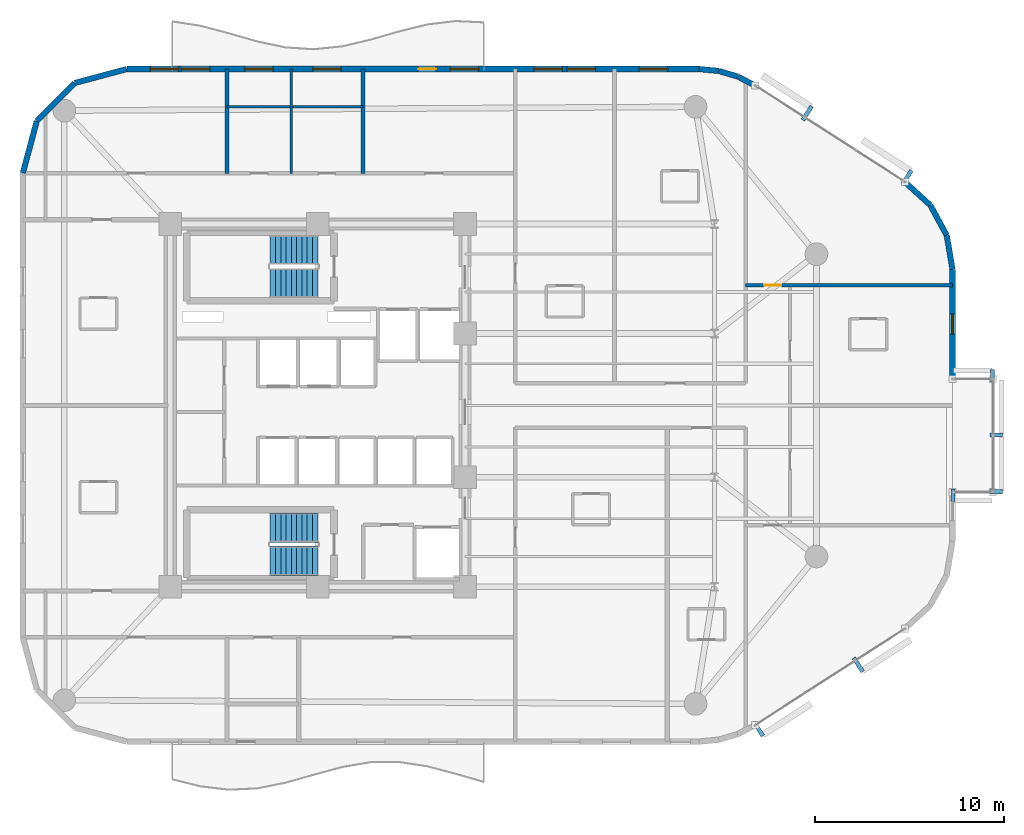
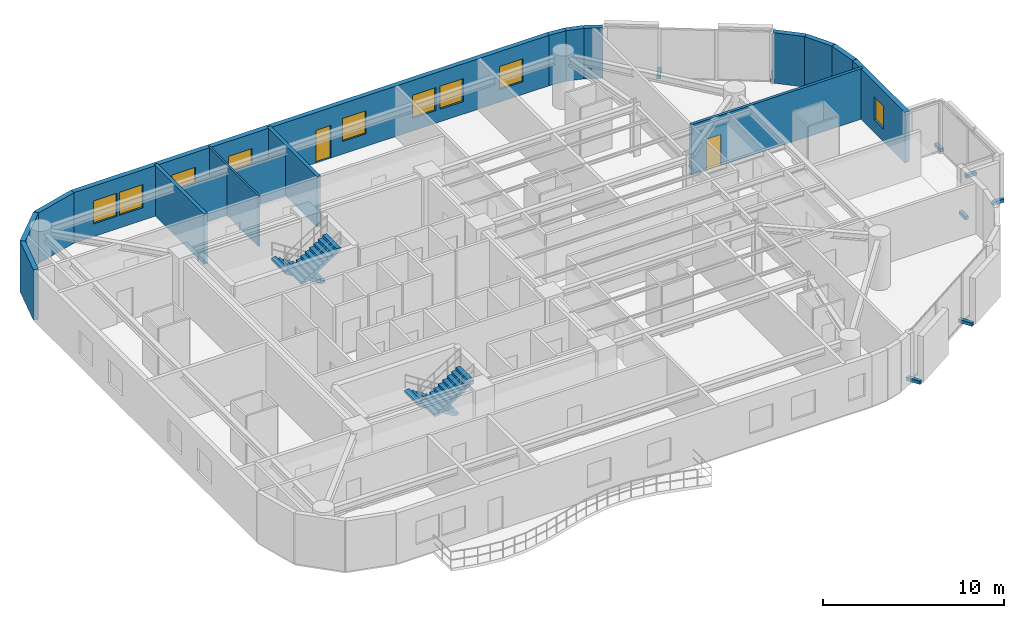
# One storey, part 14 of 16: 16 walls, 9 windows, 8 discrete accessories, 4 stair flights, 2 doors, 11 openings, 2 elements without a shape of their own.
"""IFC4 building model written with IfcOpenShell, lengths in metres."""

import ifcopenshell
import ifcopenshell.guid

model = None  # the IFC model being written
_history = None  # IfcOwnerHistory: only IFC2X3 demands one
_inside = {}  # id of a spatial element -> (the spatial element, [elements in it])
_under = {}  # id of a project, library or spatial element -> (it, [spatial elements below it])
_declared = {}  # id of a project -> (the project, [libraries it declares])
_typed = {}  # id of a type object -> (the type object, [elements of that type])
_made_of = {}  # id of a material, layer set ... -> (it, [elements and type objects made of it])


def new_model(schema):
    """Start an empty IFC model of exactly this schema.

    Asked for "IFC4X3", IfcOpenShell would pick the latest addendum, in which some entities
    have other attributes; the version numbers below select the first issue.
    IFC2X3 requires an IfcOwnerHistory on every rooted entity: one is made here for all.
    """
    global model, _history
    if schema == "IFC4X3":
        model = ifcopenshell.file(schema_version=(4, 3, 0, 0))
    else:
        model = ifcopenshell.file(schema=schema)
    _inside.clear()
    _under.clear()
    _declared.clear()
    _typed.clear()
    _made_of.clear()
    _history = None
    if model.schema == "IFC2X3":
        org = make("IfcOrganization", Name="unknown")
        user = make(
            "IfcPersonAndOrganization",
            ThePerson=make("IfcPerson", FamilyName="unknown"),
            TheOrganization=org,
        )
        app = make(
            "IfcApplication",
            ApplicationDeveloper=org,
            Version="unknown",
            ApplicationFullName="unknown",
            ApplicationIdentifier="unknown",
        )
        _history = make(
            "IfcOwnerHistory",
            OwningUser=user,
            OwningApplication=app,
            ChangeAction="ADDED",
            CreationDate=0,
        )
    return model


def make(cls, **values):
    """One entity of the class cls with the attributes given. An attribute that is None is left unset."""
    return model.create_entity(
        cls, **{name: value for name, value in values.items() if value is not None}
    )


def rooted(cls, **values):
    """An entity with a GlobalId (a new one), such as an element, a storey or a relation."""
    return make(cls, GlobalId=ifcopenshell.guid.new(), OwnerHistory=_history, **values)


def si_unit(unit_type, name, prefix=None):
    """IfcSIUnit, for example si_unit("LENGTHUNIT", "METRE", prefix="MILLI")."""
    return make("IfcSIUnit", UnitType=unit_type, Prefix=prefix, Name=name)


def assignment(units):
    """IfcUnitAssignment: the units of a project."""
    return None if units is None else make("IfcUnitAssignment", Units=units)


def point(xyz):
    """IfcCartesianPoint."""
    return None if xyz is None else make("IfcCartesianPoint", Coordinates=xyz)


def direction(xyz):
    """IfcDirection."""
    return None if xyz is None else make("IfcDirection", DirectionRatios=xyz)


def frame(location, z_axis=None, x_axis=None):
    """IfcAxis2Placement3D, a coordinate frame: its origin and axes. An axis left out is left unset."""
    return make(
        "IfcAxis2Placement3D",
        Location=point(location),
        Axis=direction(z_axis),
        RefDirection=direction(x_axis),
    )


def frame_2d(location, x_axis=None):
    """IfcAxis2Placement2D, a coordinate frame in the plane: its origin and x axis."""
    return make(
        "IfcAxis2Placement2D", Location=point(location), RefDirection=direction(x_axis)
    )


def origin():
    """The frame at (0, 0, 0) with its axes left unset."""
    return frame((0.0, 0.0, 0.0))


def origin_2d():
    """The frame at (0, 0) in the plane with its x axis left unset."""
    return frame_2d((0.0, 0.0))


def place(relative_to, where):
    """IfcLocalPlacement: puts the frame where relative to a parent placement (None: the world)."""
    return make(
        "IfcLocalPlacement", PlacementRelTo=relative_to, RelativePlacement=where
    )


def context(
    kind, dimensions, precision=None, world=None, true_north=None, identifier=None
):
    """IfcGeometricRepresentationContext, for example the 3D "Model" context."""
    return make(
        "IfcGeometricRepresentationContext",
        ContextIdentifier=identifier,
        ContextType=kind,
        CoordinateSpaceDimension=dimensions,
        Precision=precision,
        WorldCoordinateSystem=world,
        TrueNorth=true_north,
    )


def subcontext(parent, identifier, kind, view, scale=None):
    """IfcGeometricRepresentationSubContext, for example "Body" below "Model"."""
    return make(
        "IfcGeometricRepresentationSubContext",
        ContextIdentifier=identifier,
        ContextType=kind,
        ParentContext=parent,
        TargetScale=scale,
        TargetView=view,
    )


def project(units=None, contexts=None):
    """IfcProject with its units and contexts."""
    return rooted(
        "IfcProject",
        Name="project",
        RepresentationContexts=contexts,
        UnitsInContext=assignment(units),
    )


def spatial(cls, under=None, at=None, **own):
    """A site, building, storey or space (cls), placed at a placement, below another one or the project."""
    s = rooted(cls, ObjectPlacement=at, **own)
    if under is not None:
        _under.setdefault(under.id(), (under, []))[1].append(s)
    return s


def polyline(points):
    """IfcPolyline through the points."""
    return make("IfcPolyline", Points=[point(p) for p in points])


def profile(cls, at=None, kind="AREA", **sizes):
    """A parametric profile (cls). Its sizes go by their IFC names, for example OverallWidth=200.0."""
    return make(cls, ProfileType=kind, Position=at, **sizes)


def rectangle(**sizes):
    """IfcRectangleProfileDef."""
    return profile("IfcRectangleProfileDef", **sizes)


def outline(outer, holes=None, kind="AREA"):
    """IfcArbitraryClosedProfileDef: a profile drawn as a closed curve; with holes, ...WithVoids."""
    if holes is None:
        return make("IfcArbitraryClosedProfileDef", ProfileType=kind, OuterCurve=outer)
    return make(
        "IfcArbitraryProfileDefWithVoids",
        ProfileType=kind,
        OuterCurve=outer,
        InnerCurves=holes,
    )


def extrude(swept, where, along, depth):
    """IfcExtrudedAreaSolid: the profile swept, set in the frame where, extruded along a direction by depth."""
    return make(
        "IfcExtrudedAreaSolid",
        SweptArea=swept,
        Position=where,
        ExtrudedDirection=direction(along),
        Depth=depth,
    )


def shape(context_of_items, identifier, shape_type, items):
    """IfcShapeRepresentation: the items that make up one representation, for example the "Body"."""
    return make(
        "IfcShapeRepresentation",
        ContextOfItems=context_of_items,
        RepresentationIdentifier=identifier,
        RepresentationType=shape_type,
        Items=items,
    )


def material(Name=None, Category=None):
    """IfcMaterial."""
    return make("IfcMaterial", Name=Name, Category=Category)


def layer(
    of_material, thickness, ventilated=None, Name=None, Category=None, Priority=None
):
    """IfcMaterialLayer: one layer of a wall or slab, of a material (None: an air gap)."""
    return make(
        "IfcMaterialLayer",
        Material=of_material,
        LayerThickness=thickness,
        IsVentilated=ventilated,
        Name=Name,
        Category=Category,
        Priority=Priority,
    )


def layer_set(layers, Name=None):
    """IfcMaterialLayerSet."""
    return make("IfcMaterialLayerSet", MaterialLayers=layers, LayerSetName=Name)


def made_of(thing, what):
    """Note that an element or type object is made of a material, layer set ...; save() writes the relation."""
    if what is not None:
        _made_of.setdefault(what.id(), (what, []))[1].append(thing)
    return thing


def type_object(cls, material=None, **own):
    """A type object (cls), such as IfcWallType, which elements share."""
    return made_of(rooted(cls, **own), material)


def element(
    cls,
    number,
    at=None,
    inside=None,
    cuts=None,
    type_object=None,
    material=None,
    context=None,
    identifier="Body",
    shape_type=None,
    held_by="IfcProductDefinitionShape",
    body=None,
    shapes=None,
    **own,
):
    """One element of the class cls, such as IfcWall. Its Tag is "e" and its number.

    at: its placement. inside: the storey or other place that contains it. cuts: it is an
    opening in that element (IfcRelVoidsElement). A single representation is given by context,
    identifier, shape_type and body (its items); several are given by shapes. held_by: the class
    of the entity that holds the representations. save() writes the other relations.
    """
    e = rooted(cls, Tag="e%d" % number, ObjectPlacement=at, **own)
    if body is not None:
        shapes = [shape(context, identifier, shape_type, body)]
    if shapes is not None:
        e.Representation = make(held_by, Representations=shapes)
    if inside is not None:
        _inside.setdefault(inside.id(), (inside, []))[1].append(e)
    if cuts is not None:
        rooted(
            "IfcRelVoidsElement", RelatingBuildingElement=cuts, RelatedOpeningElement=e
        )
    if type_object is not None:
        _typed.setdefault(type_object.id(), (type_object, []))[1].append(e)
    return made_of(e, material)


def fill(opening, filler):
    """IfcRelFillsElement: the door or window that sits in an opening."""
    return rooted(
        "IfcRelFillsElement",
        RelatingOpeningElement=opening,
        RelatedBuildingElement=filler,
    )


def aggregate(whole, parts):
    """IfcRelAggregates: a whole, such as a stair, and the parts it consists of."""
    return rooted("IfcRelAggregates", RelatingObject=whole, RelatedObjects=parts)


def save(model, path):
    """Write the relations noted so far, then the file.

    IfcRelAggregates (storeys below a building ...), IfcRelContainedInSpatialStructure (elements
    in a storey), IfcRelDefinesByType, IfcRelAssociatesMaterial and IfcRelDeclares: one each for
    every whole, place, type object, material and project.
    """
    for whole, parts in _under.values():
        aggregate(whole, parts)
    for where, things in _inside.values():
        rooted(
            "IfcRelContainedInSpatialStructure",
            RelatedElements=things,
            RelatingStructure=where,
        )
    for kind, things in _typed.values():
        rooted("IfcRelDefinesByType", RelatedObjects=things, RelatingType=kind)
    for what, things in _made_of.values():
        rooted("IfcRelAssociatesMaterial", RelatedObjects=things, RelatingMaterial=what)
    for by, libraries in _declared.values():
        rooted("IfcRelDeclares", RelatingContext=by, RelatedDefinitions=libraries)
    model.write(path)


model = new_model("IFC4")

# Units and contexts
model_context = context("Model", 3, precision=1e-05, world=origin(), true_north=direction((0.0, 1.0)))
body_context = subcontext(model_context, "Body", "Model", "MODEL_VIEW")
ifc_project = project(units=[si_unit("LENGTHUNIT", "METRE"), si_unit("AREAUNIT", "SQUARE_METRE"), si_unit("VOLUMEUNIT", "CUBIC_METRE"), si_unit("PLANEANGLEUNIT", "RADIAN"), si_unit("MASSUNIT", "GRAM", prefix="KILO")], contexts=[model_context])

# Site, building, storey
site_placement = place(None, origin())
site = spatial("IfcSite", under=ifc_project, at=site_placement, CompositionType="ELEMENT")
building_placement = place(site_placement, origin())
building = spatial("IfcBuilding", under=site, at=building_placement, Name="An Khanh Terracotta Commons", CompositionType="ELEMENT")
storey_placement = place(building_placement, frame((0.0, 0.0, 151.0)))
storey = spatial("IfcBuildingStorey", under=building, at=storey_placement, Name="L39", CompositionType="ELEMENT", Elevation=151.0)

# Wall, opening, door
ifc_material_1 = material(Name="Fire-Rated Gypsum Board on Steel Stud", Category="steel")
ifc_layer_1 = layer(ifc_material_1, 0.179931640625, Name="Fire-Rated Gypsum Board on Steel Stud")
ifc_layer_set_1 = layer_set([ifc_layer_1], Name="Fire-Rated Gypsum Board on Steel Stud")
wall_type_1 = type_object("IfcWallType", Name="WALL-CORR-180", PredefinedType="PARTITIONING", material=ifc_layer_set_1)
wall_1_placement = place(storey_placement, frame((52.050048828125, 30.35009765625, 0.0), z_axis=(0.0, 0.0, 1.0), x_axis=(1.0, 0.0, 0.0)))
wall_1 = element("IfcWall", 1, at=wall_1_placement, inside=storey, type_object=wall_type_1, Name="L39 Interior Partition IW-L39-E009", PredefinedType="PARTITIONING", context=body_context, shape_type="SweptSolid", body=[
    extrude(rectangle(XDim=10.949951171875, YDim=0.179931640625, at=frame_2d((5.47509765625, 0.0))), origin(), (0.0, 0.0, 1.0), 3.39990234375),
])
opening_1_placement = place(wall_1_placement, frame((0.97509765625, 0.0, 0.0)))
opening_1 = element("IfcOpeningElement", 2, at=opening_1_placement, cuts=wall_1, Name="Opening D-RM", PredefinedType="OPENING", context=body_context, shape_type="SweptSolid", body=[
    extrude(rectangle(XDim=0.919921875, YDim=2.10009765625, at=frame_2d((0.4599609375, 1.050048828125))), frame((0.0, 0.099853515625, 0.0), z_axis=(0.0, -1.0, 0.0), x_axis=(1.0, 0.0, 0.0)), (0.0, 0.0, 1.0), 0.199951171875),
])
ifc_material_2 = material(Name="Engineered Hardwood Timber Leaf", Category="wood")
door_type_1 = type_object("IfcDoorType", Name="DOOR-INT-920", OperationType="NOTDEFINED", PredefinedType="DOOR", material=ifc_material_2)
door_1_placement = place(opening_1_placement, origin())
door_1 = element("IfcDoor", 3, at=door_1_placement, inside=storey, type_object=door_type_1, Name="L39 CAPN Quiet Focus Office Door", OperationType="SINGLE_SWING_RIGHT", OverallHeight=2.10009765625, OverallWidth=0.919921875, PredefinedType="DOOR", context=body_context, shape_type="SweptSolid", body=[
    extrude(rectangle(XDim=0.919921875, YDim=2.10009765625, at=frame_2d((0.4599609375, 1.050048828125))), frame((0.0, 0.02490234375, 0.0), z_axis=(0.0, -1.0, 0.0), x_axis=(1.0, 0.0, 0.0)), (0.0, 0.0, 1.0), 0.050048828125),
])
fill(opening_1, door_1)

# Wall, opening, window
ifc_material_3 = material(Name="Precast concrete C40/50", Category="concrete")
ifc_layer_2 = layer(ifc_material_3, 0.300048828125, Name="Precast concrete C40/50")
ifc_layer_set_2 = layer_set([ifc_layer_2], Name="Precast concrete C40/50")
wall_type_2 = type_object("IfcWallType", Name="WALL-EXT-300", PredefinedType="SOLIDWALL", material=ifc_layer_set_2)
wall_2_placement = place(storey_placement, frame((63.0, 25.39990234375, 0.0), z_axis=(0.0, 0.0, 1.0), x_axis=(0.0, 1.0, 0.0)))
wall_2 = element("IfcWall", 4, at=wall_2_placement, inside=storey, type_object=wall_type_2, Name="L39 East Nose Wall North", PredefinedType="SOLIDWALL", context=body_context, shape_type="SweptSolid", body=[
    extrude(rectangle(XDim=5.800048828125, YDim=0.300048828125, at=frame_2d((2.89990234375, 0.0))), origin(), (0.0, 0.0, 1.0), 3.39990234375),
])
opening_2_placement = place(wall_2_placement, frame((2.375, 0.0, 0.85009765625)))
opening_2 = element("IfcOpeningElement", 5, at=opening_2_placement, cuts=wall_2, Name="Opening W-06", PredefinedType="OPENING", context=body_context, shape_type="SweptSolid", body=[
    extrude(rectangle(XDim=1.050048828125, YDim=1.550048828125, at=frame_2d((0.52490234375, 0.77490234375))), frame((0.0, 0.159912109375, 0.0), z_axis=(0.0, -1.0, 0.0), x_axis=(1.0, 0.0, 0.0)), (0.0, 0.0, 1.0), 0.320068359375),
])
ifc_material_4 = material(Name="Thermally Broken Aluminium and Low-E Glass", Category="aluminium")
window_type_1 = type_object("IfcWindowType", Name="WIN-COR-1050x1550", PartitioningType="SINGLE_PANEL", PredefinedType="WINDOW", material=ifc_material_4)
window_1_placement = place(opening_2_placement, origin())
window_1 = element("IfcWindow", 6, at=window_1_placement, inside=storey, type_object=window_type_1, Name="L39 East Nose North Casement Window", OverallHeight=1.550048828125, OverallWidth=1.050048828125, PartitioningType="SINGLE_PANEL", PredefinedType="WINDOW", context=body_context, shape_type="SweptSolid", body=[
    extrude(rectangle(XDim=1.050048828125, YDim=1.550048828125, at=frame_2d((0.52490234375, 0.77490234375))), frame((0.0, 0.030029296875, 0.0), z_axis=(0.0, -1.0, 0.0), x_axis=(1.0, 0.0, 0.0)), (0.0, 0.0, 1.0), 0.06005859375),
])
fill(opening_2, window_1)

# Walls
wall_3_placement = place(storey_placement, frame((63.0, 31.199951171875, 0.0), z_axis=(0.0, 0.0, 1.0), x_axis=(-0.165724081207, 0.986172159873, 0.0)))
element("IfcWall", 7, at=wall_3_placement, inside=storey, type_object=wall_type_2, Name="L39 Insulated Terracotta Exterior Wall 13", PredefinedType="SOLIDWALL", context=body_context, shape_type="SweptSolid", body=[
    extrude(rectangle(XDim=1.822265625, YDim=0.300048828125, at=frame_2d((0.9111328125, 0.0))), origin(), (0.0, 0.0, 1.0), 3.39990234375),
])
wall_4_placement = place(storey_placement, frame((62.697998046875, 32.9970703125, 0.0), z_axis=(0.0, 0.0, 1.0), x_axis=(-0.478608030646, 0.878028674362, 0.0)))
element("IfcWall", 8, at=wall_4_placement, inside=storey, type_object=wall_type_2, Name="L39 Insulated Terracotta Exterior Wall 14", PredefinedType="SOLIDWALL", context=body_context, shape_type="SweptSolid", body=[
    extrude(rectangle(XDim=1.822021484375, YDim=0.300048828125, at=frame_2d((0.9111328125, 0.0))), origin(), (0.0, 0.0, 1.0), 3.39990234375),
])
wall_5_placement = place(storey_placement, frame((61.825927734375, 34.596923828125, 0.0), z_axis=(0.0, 0.0, 1.0), x_axis=(-0.73947929393, 0.673179302897, 0.0)))
element("IfcWall", 9, at=wall_5_placement, inside=storey, type_object=wall_type_2, Name="L39 Insulated Terracotta Exterior Wall 15", PredefinedType="SOLIDWALL", context=body_context, shape_type="SweptSolid", body=[
    extrude(rectangle(XDim=1.82275390625, YDim=0.300048828125, at=frame_2d((0.911376953125, 0.0))), origin(), (0.0, 0.0, 1.0), 3.39990234375),
])
wall_6_placement = place(storey_placement, frame((52.56005859375, 40.924072265625, 0.0), z_axis=(0.0, 0.0, 1.0), x_axis=(-0.888283247196, 0.459296062198, 0.0)))
element("IfcWall", 10, at=wall_6_placement, inside=storey, type_object=wall_type_2, Name="L39 Insulated Terracotta Exterior Wall 17", PredefinedType="SOLIDWALL", context=body_context, shape_type="SweptSolid", body=[
    extrude(rectangle(XDim=1.047119140625, YDim=0.300048828125, at=frame_2d((0.5234375, 0.0))), origin(), (0.0, 0.0, 1.0), 3.39990234375),
])
wall_7_placement = place(storey_placement, frame((51.6298828125, 41.405029296875, 0.0), z_axis=(0.0, 0.0, 1.0), x_axis=(-0.959528674476, 0.281610942363, 0.0)))
element("IfcWall", 11, at=wall_7_placement, inside=storey, type_object=wall_type_2, Name="L39 Insulated Terracotta Exterior Wall 18", PredefinedType="SOLIDWALL", context=body_context, shape_type="SweptSolid", body=[
    extrude(rectangle(XDim=1.04736328125, YDim=0.300048828125, at=frame_2d((0.523681640625, 0.0))), origin(), (0.0, 0.0, 1.0), 3.39990234375),
])
wall_8_placement = place(storey_placement, frame((50.625, 41.699951171875, 0.0), z_axis=(0.0, 0.0, 1.0), x_axis=(-0.995426089968, 0.095534807324, 0.0)))
element("IfcWall", 12, at=wall_8_placement, inside=storey, type_object=wall_type_2, Name="L39 Insulated Terracotta Exterior Wall 19", PredefinedType="SOLIDWALL", context=body_context, shape_type="SweptSolid", body=[
    extrude(rectangle(XDim=1.0478515625, YDim=0.300048828125, at=frame_2d((0.52392578125, 0.0))), origin(), (0.0, 0.0, 1.0), 3.39990234375),
])

# Wall, openings, door, windows
wall_9_placement = place(storey_placement, frame((49.58203125, 41.800048828125, 0.0), z_axis=(0.0, 0.0, 1.0), x_axis=(-1.0, 0.0, 0.0)))
wall_9 = element("IfcWall", 13, at=wall_9_placement, inside=storey, type_object=wall_type_2, Name="L39 Insulated Terracotta Exterior Wall 20", PredefinedType="SOLIDWALL", context=body_context, shape_type="SweptSolid", body=[
    extrude(rectangle(XDim=30.281982421875, YDim=0.300048828125, at=frame_2d((15.14111328125, 0.0))), origin(), (0.0, 0.0, 1.0), 3.39990234375),
])
opening_3_placement = place(wall_9_placement, frame((13.906982421875, 0.0, 0.0)))
opening_3 = element("IfcOpeningElement", 14, at=opening_3_placement, cuts=wall_9, Name="Opening D-BAL", PredefinedType="OPENING", context=body_context, shape_type="SweptSolid", body=[
    extrude(rectangle(XDim=0.949951171875, YDim=2.199951171875, at=frame_2d((0.47509765625, 1.10009765625))), frame((0.0, 0.159912109375, 0.0), z_axis=(0.0, -1.0, 0.0), x_axis=(1.0, 0.0, 0.0)), (0.0, 0.0, 1.0), 0.320068359375),
])
opening_4_placement = place(wall_9_placement, frame((1.660888671875, 0.0, 0.85009765625)))
opening_4 = element("IfcOpeningElement", 15, at=opening_4_placement, cuts=wall_9, Name="Opening W-03", PredefinedType="OPENING", context=body_context, shape_type="SweptSolid", body=[
    extrude(rectangle(XDim=1.5, YDim=1.550048828125, at=frame_2d((0.75, 0.77490234375))), frame((0.0, 0.159912109375, 0.0), z_axis=(0.0, -1.0, 0.0), x_axis=(1.0, 0.0, 0.0)), (0.0, 0.0, 1.0), 0.320068359375),
])
opening_5_placement = place(wall_9_placement, frame((5.47607421875, 0.0, 0.85009765625)))
opening_5 = element("IfcOpeningElement", 16, at=opening_5_placement, cuts=wall_9, Name="Opening W-03", PredefinedType="OPENING", context=body_context, shape_type="SweptSolid", body=[
    extrude(rectangle(XDim=1.5, YDim=1.550048828125, at=frame_2d((0.75, 0.77490234375))), frame((0.0, 0.159912109375, 0.0), z_axis=(0.0, -1.0, 0.0), x_axis=(1.0, 0.0, 0.0)), (0.0, 0.0, 1.0), 0.320068359375),
])
opening_6_placement = place(wall_9_placement, frame((7.22900390625, 0.0, 0.85009765625)))
opening_6 = element("IfcOpeningElement", 17, at=opening_6_placement, cuts=wall_9, Name="Opening W-03", PredefinedType="OPENING", context=body_context, shape_type="SweptSolid", body=[
    extrude(rectangle(XDim=1.5, YDim=1.550048828125, at=frame_2d((0.75, 0.77490234375))), frame((0.0, 0.159912109375, 0.0), z_axis=(0.0, -1.0, 0.0), x_axis=(1.0, 0.0, 0.0)), (0.0, 0.0, 1.0), 0.320068359375),
])
opening_7_placement = place(wall_9_placement, frame((11.6650390625, 0.0, 0.85009765625)))
opening_7 = element("IfcOpeningElement", 18, at=opening_7_placement, cuts=wall_9, Name="Opening W-03", PredefinedType="OPENING", context=body_context, shape_type="SweptSolid", body=[
    extrude(rectangle(XDim=1.5, YDim=1.550048828125, at=frame_2d((0.75, 0.77490234375))), frame((0.0, 0.159912109375, 0.0), z_axis=(0.0, -1.0, 0.0), x_axis=(1.0, 0.0, 0.0)), (0.0, 0.0, 1.0), 0.320068359375),
])
opening_8_placement = place(wall_9_placement, frame((18.931884765625, 0.0, 0.85009765625)))
opening_8 = element("IfcOpeningElement", 19, at=opening_8_placement, cuts=wall_9, Name="Opening W-03", PredefinedType="OPENING", context=body_context, shape_type="SweptSolid", body=[
    extrude(rectangle(XDim=1.5, YDim=1.550048828125, at=frame_2d((0.75, 0.77490234375))), frame((0.0, 0.159912109375, 0.0), z_axis=(0.0, -1.0, 0.0), x_axis=(1.0, 0.0, 0.0)), (0.0, 0.0, 1.0), 0.320068359375),
])
opening_9_placement = place(wall_9_placement, frame((22.531982421875, 0.0, 0.85009765625)))
opening_9 = element("IfcOpeningElement", 20, at=opening_9_placement, cuts=wall_9, Name="Opening W-03", PredefinedType="OPENING", context=body_context, shape_type="SweptSolid", body=[
    extrude(rectangle(XDim=1.5, YDim=1.550048828125, at=frame_2d((0.75, 0.77490234375))), frame((0.0, 0.159912109375, 0.0), z_axis=(0.0, -1.0, 0.0), x_axis=(1.0, 0.0, 0.0)), (0.0, 0.0, 1.0), 0.320068359375),
])
opening_10_placement = place(wall_9_placement, frame((25.882080078125, 0.0, 0.85009765625)))
opening_10 = element("IfcOpeningElement", 21, at=opening_10_placement, cuts=wall_9, Name="Opening W-03", PredefinedType="OPENING", context=body_context, shape_type="SweptSolid", body=[
    extrude(rectangle(XDim=1.5, YDim=1.550048828125, at=frame_2d((0.75, 0.77490234375))), frame((0.0, 0.159912109375, 0.0), z_axis=(0.0, -1.0, 0.0), x_axis=(1.0, 0.0, 0.0)), (0.0, 0.0, 1.0), 0.320068359375),
])
opening_11_placement = place(wall_9_placement, frame((27.531982421875, 0.0, 0.85009765625)))
opening_11 = element("IfcOpeningElement", 22, at=opening_11_placement, cuts=wall_9, Name="Opening W-03", PredefinedType="OPENING", context=body_context, shape_type="SweptSolid", body=[
    extrude(rectangle(XDim=1.5, YDim=1.550048828125, at=frame_2d((0.75, 0.77490234375))), frame((0.0, 0.159912109375, 0.0), z_axis=(0.0, -1.0, 0.0), x_axis=(1.0, 0.0, 0.0)), (0.0, 0.0, 1.0), 0.320068359375),
])
door_type_2 = type_object("IfcDoorType", Name="DOOR-BALC-950", OperationType="NOTDEFINED", PredefinedType="DOOR", material=ifc_material_4)
door_2_placement = place(opening_3_placement, origin())
door_2 = element("IfcDoor", 23, at=door_2_placement, inside=storey, type_object=door_type_2, Name="L39 N Wave Balcony Glazed Door", OperationType="SINGLE_SWING_RIGHT", OverallHeight=2.199951171875, OverallWidth=0.949951171875, PredefinedType="DOOR", context=body_context, shape_type="SweptSolid", body=[
    extrude(rectangle(XDim=0.949951171875, YDim=2.199951171875, at=frame_2d((0.47509765625, 1.10009765625))), frame((0.0, 0.02490234375, 0.0), z_axis=(0.0, -1.0, 0.0), x_axis=(1.0, 0.0, 0.0)), (0.0, 0.0, 1.0), 0.050048828125),
])
fill(opening_3, door_2)
window_type_2 = type_object("IfcWindowType", Name="WIN-Z3-1500x1550", PartitioningType="DOUBLE_PANEL_VERTICAL", PredefinedType="WINDOW", material=ifc_material_4)
window_2_placement = place(opening_4_placement, origin())
window_2 = element("IfcWindow", 24, at=window_2_placement, inside=storey, type_object=window_type_2, Name="L39 Operable Casement Window 20.1", OverallHeight=1.550048828125, OverallWidth=1.5, PartitioningType="DOUBLE_PANEL_VERTICAL", PredefinedType="WINDOW", context=body_context, shape_type="SweptSolid", body=[
    extrude(rectangle(XDim=1.5, YDim=1.550048828125, at=frame_2d((0.75, 0.77490234375))), frame((0.0, 0.030029296875, 0.0), z_axis=(0.0, -1.0, 0.0), x_axis=(1.0, 0.0, 0.0)), (0.0, 0.0, 1.0), 0.06005859375),
])
fill(opening_4, window_2)
window_3_placement = place(opening_5_placement, origin())
window_3 = element("IfcWindow", 25, at=window_3_placement, inside=storey, type_object=window_type_2, Name="L39 Operable Casement Window 20.2", OverallHeight=1.550048828125, OverallWidth=1.5, PartitioningType="DOUBLE_PANEL_VERTICAL", PredefinedType="WINDOW", context=body_context, shape_type="SweptSolid", body=[
    extrude(rectangle(XDim=1.5, YDim=1.550048828125, at=frame_2d((0.75, 0.77490234375))), frame((0.0, 0.030029296875, 0.0), z_axis=(0.0, -1.0, 0.0), x_axis=(1.0, 0.0, 0.0)), (0.0, 0.0, 1.0), 0.06005859375),
])
fill(opening_5, window_3)
window_4_placement = place(opening_6_placement, origin())
window_4 = element("IfcWindow", 26, at=window_4_placement, inside=storey, type_object=window_type_2, Name="L39 Operable Casement Window 20.3", OverallHeight=1.550048828125, OverallWidth=1.5, PartitioningType="DOUBLE_PANEL_VERTICAL", PredefinedType="WINDOW", context=body_context, shape_type="SweptSolid", body=[
    extrude(rectangle(XDim=1.5, YDim=1.550048828125, at=frame_2d((0.75, 0.77490234375))), frame((0.0, 0.030029296875, 0.0), z_axis=(0.0, -1.0, 0.0), x_axis=(1.0, 0.0, 0.0)), (0.0, 0.0, 1.0), 0.06005859375),
])
fill(opening_6, window_4)
window_5_placement = place(opening_7_placement, origin())
window_5 = element("IfcWindow", 27, at=window_5_placement, inside=storey, type_object=window_type_2, Name="L39 Operable Casement Window 20.4", OverallHeight=1.550048828125, OverallWidth=1.5, PartitioningType="DOUBLE_PANEL_VERTICAL", PredefinedType="WINDOW", context=body_context, shape_type="SweptSolid", body=[
    extrude(rectangle(XDim=1.5, YDim=1.550048828125, at=frame_2d((0.75, 0.77490234375))), frame((0.0, 0.030029296875, 0.0), z_axis=(0.0, -1.0, 0.0), x_axis=(1.0, 0.0, 0.0)), (0.0, 0.0, 1.0), 0.06005859375),
])
fill(opening_7, window_5)
window_6_placement = place(opening_8_placement, origin())
window_6 = element("IfcWindow", 28, at=window_6_placement, inside=storey, type_object=window_type_2, Name="L39 Operable Casement Window 20.5", OverallHeight=1.550048828125, OverallWidth=1.5, PartitioningType="DOUBLE_PANEL_VERTICAL", PredefinedType="WINDOW", context=body_context, shape_type="SweptSolid", body=[
    extrude(rectangle(XDim=1.5, YDim=1.550048828125, at=frame_2d((0.75, 0.77490234375))), frame((0.0, 0.030029296875, 0.0), z_axis=(0.0, -1.0, 0.0), x_axis=(1.0, 0.0, 0.0)), (0.0, 0.0, 1.0), 0.06005859375),
])
fill(opening_8, window_6)
window_7_placement = place(opening_9_placement, origin())
window_7 = element("IfcWindow", 29, at=window_7_placement, inside=storey, type_object=window_type_2, Name="L39 Operable Casement Window 20.6", OverallHeight=1.550048828125, OverallWidth=1.5, PartitioningType="DOUBLE_PANEL_VERTICAL", PredefinedType="WINDOW", context=body_context, shape_type="SweptSolid", body=[
    extrude(rectangle(XDim=1.5, YDim=1.550048828125, at=frame_2d((0.75, 0.77490234375))), frame((0.0, 0.030029296875, 0.0), z_axis=(0.0, -1.0, 0.0), x_axis=(1.0, 0.0, 0.0)), (0.0, 0.0, 1.0), 0.06005859375),
])
fill(opening_9, window_7)
window_8_placement = place(opening_10_placement, origin())
window_8 = element("IfcWindow", 30, at=window_8_placement, inside=storey, type_object=window_type_2, Name="L39 Operable Casement Window 20.7", OverallHeight=1.550048828125, OverallWidth=1.5, PartitioningType="DOUBLE_PANEL_VERTICAL", PredefinedType="WINDOW", context=body_context, shape_type="SweptSolid", body=[
    extrude(rectangle(XDim=1.5, YDim=1.550048828125, at=frame_2d((0.75, 0.77490234375))), frame((0.0, 0.030029296875, 0.0), z_axis=(0.0, -1.0, 0.0), x_axis=(1.0, 0.0, 0.0)), (0.0, 0.0, 1.0), 0.06005859375),
])
fill(opening_10, window_8)
window_9_placement = place(opening_11_placement, origin())
window_9 = element("IfcWindow", 31, at=window_9_placement, inside=storey, type_object=window_type_2, Name="L39 Operable Casement Window 20.8", OverallHeight=1.550048828125, OverallWidth=1.5, PartitioningType="DOUBLE_PANEL_VERTICAL", PredefinedType="WINDOW", context=body_context, shape_type="SweptSolid", body=[
    extrude(rectangle(XDim=1.5, YDim=1.550048828125, at=frame_2d((0.75, 0.77490234375))), frame((0.0, 0.030029296875, 0.0), z_axis=(0.0, -1.0, 0.0), x_axis=(1.0, 0.0, 0.0)), (0.0, 0.0, 1.0), 0.06005859375),
])
fill(opening_11, window_9)

# Walls
wall_10_placement = place(storey_placement, frame((19.300048828125, 41.800048828125, 0.0), z_axis=(0.0, 0.0, 1.0), x_axis=(-0.965908238586, -0.258884674387, 0.0)))
element("IfcWall", 32, at=wall_10_placement, inside=storey, type_object=wall_type_2, Name="L39 Insulated Terracotta Exterior Wall 21", PredefinedType="SOLIDWALL", context=body_context, shape_type="SweptSolid", body=[
    extrude(rectangle(XDim=2.84716796875, YDim=0.300048828125, at=frame_2d((1.423583984375, 0.0))), origin(), (0.0, 0.0, 1.0), 3.39990234375),
])
wall_11_placement = place(storey_placement, frame((16.550048828125, 41.06298828125, 0.0), z_axis=(0.0, 0.0, 1.0), x_axis=(-0.707106781187, -0.707106781187, 0.0)))
element("IfcWall", 33, at=wall_11_placement, inside=storey, type_object=wall_type_2, Name="L39 Insulated Terracotta Exterior Wall 22", PredefinedType="SOLIDWALL", context=body_context, shape_type="SweptSolid", body=[
    extrude(rectangle(XDim=2.8466796875, YDim=0.300048828125, at=frame_2d((1.42333984375, 0.0))), origin(), (0.0, 0.0, 1.0), 3.39990234375),
])
wall_12_placement = place(storey_placement, frame((14.537109375, 39.050048828125, 0.0), z_axis=(0.0, 0.0, 1.0), x_axis=(-0.258884674387, -0.965908238586, 0.0)))
element("IfcWall", 34, at=wall_12_placement, inside=storey, type_object=wall_type_2, Name="L39 Insulated Terracotta Exterior Wall 23", PredefinedType="SOLIDWALL", context=body_context, shape_type="SweptSolid", body=[
    extrude(rectangle(XDim=2.84716796875, YDim=0.300048828125, at=frame_2d((1.423583984375, 0.0))), origin(), (0.0, 0.0, 1.0), 3.39990234375),
])
ifc_material_5 = material(Name="Acoustic Double-Stud Gypsum and Mineral Wool")
ifc_layer_3 = layer(ifc_material_5, 0.219970703125, Name="Acoustic Double-Stud Gypsum and Mineral Wool")
ifc_layer_set_3 = layer_set([ifc_layer_3], Name="Acoustic Double-Stud Gypsum and Mineral Wool")
wall_type_3 = type_object("IfcWallType", Name="WALL-PARTY-220", PredefinedType="PARTITIONING", material=ifc_layer_set_3)
for number, where, z_axis, x_axis, name in (
    (35, (24.60009765625, 36.280029296875, 0.0), (0.0, 0.0, 1.0), (0.0, 1.0, 0.0), "L39 Interior Partition IW-L39-E016"),
    (36, (31.800048828125, 36.280029296875, 0.0), (0.0, 0.0, 1.0), (0.0, 1.0, 0.0), "L39 Interior Partition IW-L39-E019"),
):
    element("IfcWall", number, at=place(storey_placement, frame(where, z_axis=z_axis, x_axis=x_axis)), inside=storey, type_object=wall_type_3, Name=name, PredefinedType="PARTITIONING", context=body_context, shape_type="SweptSolid", body=[
        extrude(rectangle(XDim=5.52001953125, YDim=0.219970703125, at=frame_2d((2.760009765625, 0.0))), origin(), (0.0, 0.0, 1.0), 3.39990234375),
    ])
ifc_material_6 = material(Name="Moisture-Resistant Cement Board Partition")
ifc_layer_4 = layer(ifc_material_6, 0.1201171875, Name="Moisture-Resistant Cement Board Partition")
ifc_layer_set_4 = layer_set([ifc_layer_4], Name="Moisture-Resistant Cement Board Partition")
wall_type_4 = type_object("IfcWallType", Name="WALL-WET-120", PredefinedType="PARTITIONING", material=ifc_layer_set_4)
wall_13_placement = place(storey_placement, frame((24.60009765625, 39.800048828125, 0.0), z_axis=(0.0, 0.0, 1.0), x_axis=(1.0, 0.0, 0.0)))
element("IfcWall", 37, at=wall_13_placement, inside=storey, type_object=wall_type_4, Name="L39 Interior Partition IW-L39-E012", PredefinedType="PARTITIONING", context=body_context, shape_type="SweptSolid", body=[
    extrude(rectangle(XDim=7.199951171875, YDim=0.1201171875, at=frame_2d((3.60009765625, 0.0))), origin(), (0.0, 0.0, 1.0), 2.882080078125),
])
wall_14_placement = place(storey_placement, frame((28.0, 36.280029296875, 0.0), z_axis=(0.0, 0.0, 1.0), x_axis=(0.0, 1.0, 0.0)))
element("IfcWall", 38, at=wall_14_placement, inside=storey, type_object=wall_type_4, Name="L39 Interior Partition IW-L39-E017", PredefinedType="PARTITIONING", context=body_context, shape_type="SweptSolid", body=[
    extrude(rectangle(XDim=5.52001953125, YDim=0.1201171875, at=frame_2d((2.760009765625, 0.0))), origin(), (0.0, 0.0, 1.0), 3.39990234375),
])

# Stair, stair flights
stair_type = type_object("IfcStairType", Name="STAIR-CORE-1550", PredefinedType="HALF_TURN_STAIR", material=ifc_material_3)
stair_1_placement = place(storey_placement, origin())
stair_1 = element("IfcStair", 39, at=stair_1_placement, inside=storey, type_object=stair_type, Name="L39 Core Smokeproof Exit Stair ST-01", PredefinedType="HALF_TURN_STAIR")
stair_flight_type = type_object("IfcStairFlightType", Name="FLIGHT-CORE-1550", PredefinedType="STRAIGHT", material=ifc_material_3)
stair_flight_1_placement = place(storey_placement, frame((29.409912109375, 32.22509765625, 0.0), z_axis=(0.0, 0.0, 1.0), x_axis=(-1.0, 0.0, 0.0)))
stair_flight_1 = element("IfcStairFlight", 40, at=stair_flight_1_placement, type_object=stair_flight_type, Name="ST-01 flight 1", NumberOfRisers=10, NumberOfTreads=9, PredefinedType="STRAIGHT", RiserHeight=0.18, TreadLength=0.28, context=body_context, shape_type="SweptSolid", body=[
    extrude(outline(polyline([(0.0, 0.0), (0.0, 0.179931640625), (0.280029296875, 0.179931640625), (0.280029296875, 0.360107421875), (0.56005859375, 0.360107421875), (0.56005859375, 0.5400390625), (0.840087890625, 0.5400390625), (0.840087890625, 0.719970703125), (1.1201171875, 0.719970703125), (1.1201171875, 0.89990234375), (1.39990234375, 0.89990234375), (1.39990234375, 1.080078125), (1.679931640625, 1.080078125), (1.679931640625, 1.260009765625), (1.9599609375, 1.260009765625), (1.9599609375, 1.43994140625), (2.239990234375, 1.43994140625), (2.239990234375, 1.6201171875), (2.52001953125, 1.6201171875), (2.52001953125, 1.800048828125), (2.52001953125, 1.44189453125), (0.277099609375, 0.0), (0.0, 0.0)])), frame((0.0, 0.77490234375, 0.0), z_axis=(0.0, -1.0, 0.0), x_axis=(1.0, 0.0, 0.0)), (0.0, 0.0, 1.0), 1.550048828125),
])
stair_flight_2_placement = place(storey_placement, frame((26.889892578125, 30.47509765625, 1.800048828125), z_axis=(0.0, 0.0, 1.0), x_axis=(1.0, 0.0, 0.0)))
stair_flight_2 = element("IfcStairFlight", 41, at=stair_flight_2_placement, type_object=stair_flight_type, Name="ST-01 flight 2", NumberOfRisers=10, NumberOfTreads=9, PredefinedType="STRAIGHT", RiserHeight=0.18, TreadLength=0.28, context=body_context, shape_type="SweptSolid", body=[
    extrude(outline(polyline([(0.0, 0.0), (0.0, 0.179931640625), (0.280029296875, 0.179931640625), (0.280029296875, 0.360107421875), (0.56005859375, 0.360107421875), (0.56005859375, 0.5400390625), (0.840087890625, 0.5400390625), (0.840087890625, 0.719970703125), (1.1201171875, 0.719970703125), (1.1201171875, 0.89990234375), (1.39990234375, 0.89990234375), (1.39990234375, 1.080078125), (1.679931640625, 1.080078125), (1.679931640625, 1.260009765625), (1.9599609375, 1.260009765625), (1.9599609375, 1.43994140625), (2.239990234375, 1.43994140625), (2.239990234375, 1.6201171875), (2.52001953125, 1.6201171875), (2.52001953125, 1.800048828125), (2.52001953125, 1.44189453125), (0.277099609375, 0.0), (0.0, 0.0)])), frame((0.0, 0.77490234375, 0.0), z_axis=(0.0, -1.0, 0.0), x_axis=(1.0, 0.0, 0.0)), (0.0, 0.0, 1.0), 1.550048828125),
])
aggregate(stair_1, [stair_flight_1, stair_flight_2])

stair_2_placement = place(storey_placement, origin())
stair_2 = element("IfcStair", 42, at=stair_2_placement, inside=storey, type_object=stair_type, Name="L39 Core Smokeproof Exit Stair ST-02", PredefinedType="HALF_TURN_STAIR")
stair_flight_3_placement = place(storey_placement, frame((29.409912109375, 17.52490234375, 0.0), z_axis=(0.0, 0.0, 1.0), x_axis=(-1.0, 0.0, 0.0)))
stair_flight_3 = element("IfcStairFlight", 43, at=stair_flight_3_placement, type_object=stair_flight_type, Name="ST-02 flight 1", NumberOfRisers=10, NumberOfTreads=9, PredefinedType="STRAIGHT", RiserHeight=0.18, TreadLength=0.28, context=body_context, shape_type="SweptSolid", body=[
    extrude(outline(polyline([(0.0, 0.0), (0.0, 0.179931640625), (0.280029296875, 0.179931640625), (0.280029296875, 0.360107421875), (0.56005859375, 0.360107421875), (0.56005859375, 0.5400390625), (0.840087890625, 0.5400390625), (0.840087890625, 0.719970703125), (1.1201171875, 0.719970703125), (1.1201171875, 0.89990234375), (1.39990234375, 0.89990234375), (1.39990234375, 1.080078125), (1.679931640625, 1.080078125), (1.679931640625, 1.260009765625), (1.9599609375, 1.260009765625), (1.9599609375, 1.43994140625), (2.239990234375, 1.43994140625), (2.239990234375, 1.6201171875), (2.52001953125, 1.6201171875), (2.52001953125, 1.800048828125), (2.52001953125, 1.44189453125), (0.277099609375, 0.0), (0.0, 0.0)])), frame((0.0, 0.77490234375, 0.0), z_axis=(0.0, -1.0, 0.0), x_axis=(1.0, 0.0, 0.0)), (0.0, 0.0, 1.0), 1.550048828125),
])
stair_flight_4_placement = place(storey_placement, frame((26.889892578125, 15.77490234375, 1.800048828125), z_axis=(0.0, 0.0, 1.0), x_axis=(1.0, 0.0, 0.0)))
stair_flight_4 = element("IfcStairFlight", 44, at=stair_flight_4_placement, type_object=stair_flight_type, Name="ST-02 flight 2", NumberOfRisers=10, NumberOfTreads=9, PredefinedType="STRAIGHT", RiserHeight=0.18, TreadLength=0.28, context=body_context, shape_type="SweptSolid", body=[
    extrude(outline(polyline([(0.0, 0.0), (0.0, 0.179931640625), (0.280029296875, 0.179931640625), (0.280029296875, 0.360107421875), (0.56005859375, 0.360107421875), (0.56005859375, 0.5400390625), (0.840087890625, 0.5400390625), (0.840087890625, 0.719970703125), (1.1201171875, 0.719970703125), (1.1201171875, 0.89990234375), (1.39990234375, 0.89990234375), (1.39990234375, 1.080078125), (1.679931640625, 1.080078125), (1.679931640625, 1.260009765625), (1.9599609375, 1.260009765625), (1.9599609375, 1.43994140625), (2.239990234375, 1.43994140625), (2.239990234375, 1.6201171875), (2.52001953125, 1.6201171875), (2.52001953125, 1.800048828125), (2.52001953125, 1.44189453125), (0.277099609375, 0.0), (0.0, 0.0)])), frame((0.0, 0.77490234375, 0.0), z_axis=(0.0, -1.0, 0.0), x_axis=(1.0, 0.0, 0.0)), (0.0, 0.0, 1.0), 1.550048828125),
])
aggregate(stair_2, [stair_flight_3, stair_flight_4])

# Discrete accessories
ifc_material_7 = material(Name="Stainless Steel Grade 316L", Category="steel")
discrete_accessory_type = type_object("IfcDiscreteAccessoryType", Name="Stainless Outrigger Facade Bracket", PredefinedType="BRACKET", material=ifc_material_7)
for number, where, z_axis, x_axis, name in (
    (45, (52.73291015625, 6.8720703125, 0.06982421875), (0.0, 0.0, 1.0), (0.840702081986, 0.541497931062, 0.0), "L39 Terracotta Screen Outrigger Bracket 1"),
    (46, (58.011962890625, 10.27197265625, 0.06982421875), (0.0, 0.0, 1.0), (0.840702081986, 0.541497931062, 0.0), "L39 Terracotta Screen Outrigger Bracket 3"),
):
    element("IfcDiscreteAccessory", number, at=place(storey_placement, frame(where, z_axis=z_axis, x_axis=x_axis)), inside=storey, type_object=discrete_accessory_type, Name=name, PredefinedType="BRACKET", context=body_context, shape_type="SweptSolid", body=[
        extrude(rectangle(XDim=0.219970703125, YDim=0.8701171875, at=origin_2d()), origin(), (0.0, 0.0, 1.0), 0.219970703125),
    ])
for number, where, z_axis, x_axis, name in (
    (47, (65.31494140625, 19.431884765625, 0.06982421875), (0.0, 0.0, 1.0), (0.0, 1.0, 0.0), "L39 Terracotta Screen Outrigger Bracket 1"),
    (48, (65.31494140625, 22.431884765625, 0.06982421875), (0.0, 0.0, 1.0), (0.0, 1.0, 0.0), "L39 Terracotta Screen Outrigger Bracket 2"),
    (49, (63.031982421875, 19.235107421875, 0.06982421875), (0.0, 0.0, 1.0), (1.0, 0.0, 0.0), "L39 Terracotta Screen Outrigger Bracket 1"),
    (50, (65.117919921875, 25.56494140625, 0.06982421875), (0.0, 0.0, 1.0), (-1.0, 0.0, 0.0), "L39 Terracotta Screen Outrigger Bracket 1"),
):
    element("IfcDiscreteAccessory", number, at=place(storey_placement, frame(where, z_axis=z_axis, x_axis=x_axis)), inside=storey, type_object=discrete_accessory_type, Name=name, PredefinedType="BRACKET", context=body_context, shape_type="SweptSolid", body=[
        extrude(rectangle(XDim=0.219970703125, YDim=0.669921875, at=origin_2d()), origin(), (0.0, 0.0, 1.0), 0.219970703125),
    ])
for number, where, z_axis, x_axis, name in (
    (51, (60.592041015625, 36.06591796875, 0.06982421875), (0.0, 0.0, 1.0), (-0.840702081986, 0.541497931062, 0.0), "L39 Terracotta Screen Outrigger Bracket 1"),
    (52, (55.31298828125, 39.466064453125, 0.06982421875), (0.0, 0.0, 1.0), (-0.840702081986, 0.541497931062, 0.0), "L39 Terracotta Screen Outrigger Bracket 3"),
):
    element("IfcDiscreteAccessory", number, at=place(storey_placement, frame(where, z_axis=z_axis, x_axis=x_axis)), inside=storey, type_object=discrete_accessory_type, Name=name, PredefinedType="BRACKET", context=body_context, shape_type="SweptSolid", body=[
        extrude(rectangle(XDim=0.219970703125, YDim=0.8701171875, at=origin_2d()), origin(), (0.0, 0.0, 1.0), 0.219970703125),
    ])

save(model, "model.ifc")
